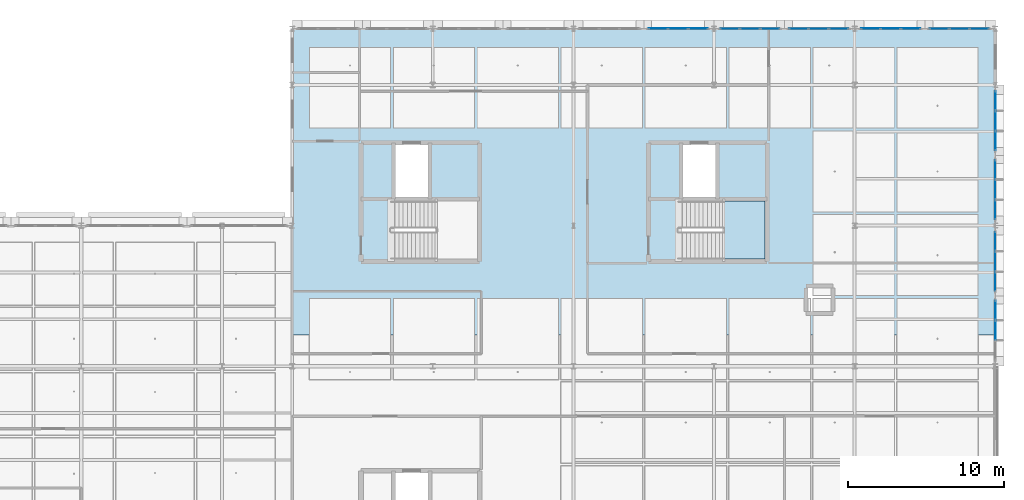
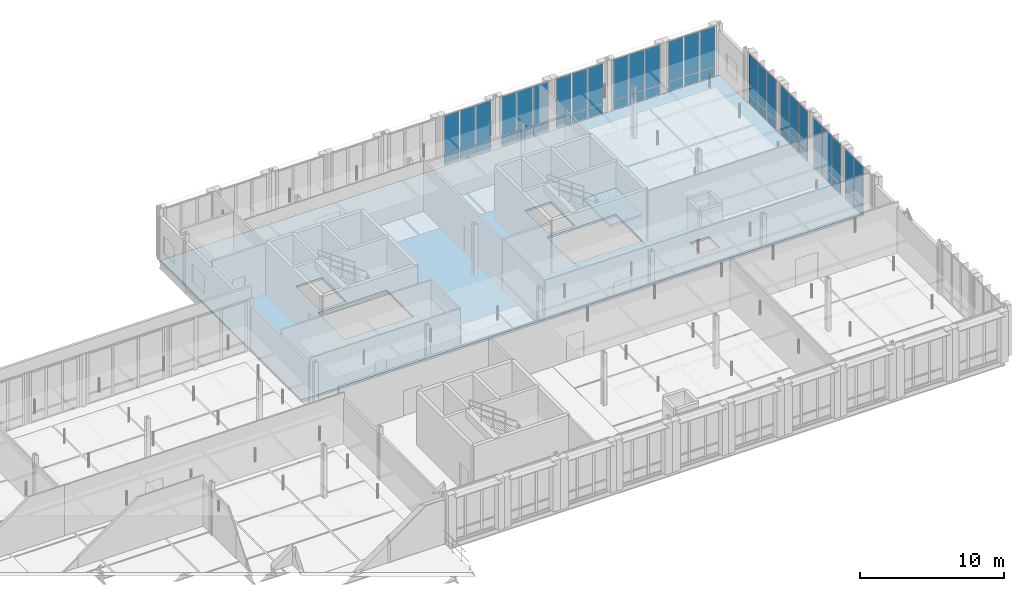
# One storey, part 40 of 89: 52 plates, 2 slabs, 10 elements without a shape of their own.
"""IFC4 building model written with IfcOpenShell, lengths in metres."""

from ifc_helpers import new_model, si_unit, direction, frame, origin, origin_2d, place, context, subcontext, project, spatial, polyline, rectangle, outline, extrude, material, layer, layer_set, type_object, element, aggregate, save


model = new_model("IFC4")

# Units and contexts
model_context = context("Model", 3, precision=1e-05, world=origin(), true_north=direction((0.0, 1.0)))
body_context = subcontext(model_context, "Body", "Model", "MODEL_VIEW")
ifc_project = project(units=[si_unit("LENGTHUNIT", "METRE"), si_unit("AREAUNIT", "SQUARE_METRE"), si_unit("VOLUMEUNIT", "CUBIC_METRE"), si_unit("PLANEANGLEUNIT", "RADIAN"), si_unit("MASSUNIT", "GRAM", prefix="KILO"), si_unit("THERMODYNAMICTEMPERATUREUNIT", "KELVIN"), si_unit("POWERUNIT", "WATT")], contexts=[model_context])

# Site, building, storey
site_placement = place(None, origin())
site = spatial("IfcSite", under=ifc_project, at=site_placement, CompositionType="ELEMENT")
building_placement = place(site_placement, origin())
building = spatial("IfcBuilding", under=site, at=building_placement, Name="Tallowbark Science Centre", CompositionType="ELEMENT")
storey_placement = place(building_placement, frame((0.0, 0.0, 14.39990234375)))
storey = spatial("IfcBuildingStorey", under=building, at=storey_placement, Name="L03", CompositionType="ELEMENT", Elevation=14.39990234375)

# Curtain wall, plates
ifc_material_1 = material(Name="Unitised Thermally Broken Aluminium and Low-E Double Glazing", Category="aluminium")
curtain_wall_type = type_object("IfcCurtainWallType", Name="CW-SYS-FACADE", PredefinedType="NOTDEFINED", material=ifc_material_1)
curtain_wall_1_placement = place(storey_placement, origin())
curtain_wall_1 = element("IfcCurtainWall", 1, at=curtain_wall_1_placement, inside=storey, type_object=curtain_wall_type, Name="Unitised Curtain Wall OBS-N-139A CW-L03-178", PredefinedType="NOTDEFINED")
ifc_material_2 = material(Name="Double Glazed Argon Low-E Vision Glass", Category="glass")
ifc_layer_1 = layer(ifc_material_2, 0.028076171875)
ifc_layer_set_1 = layer_set([ifc_layer_1], Name="Double Glazed Argon Low-E Vision Glass")
plate_type_1 = type_object("IfcPlateType", Name="CWP-GLZ-28", PredefinedType="CURTAIN_PANEL", material=ifc_layer_set_1)
plate_1_placement = place(storey_placement, frame((147.483642578125, 111.60009765625, 0.05517578125), z_axis=(0.0, 0.0, 1.0), x_axis=(-1.0, 0.0, 0.0)))
plate_1 = element("IfcPlate", 2, at=plate_1_placement, type_object=plate_type_1, Name="CW-01 panel 1.1", PredefinedType="CURTAIN_PANEL", context=body_context, shape_type="SweptSolid", body=[
    extrude(rectangle(XDim=1.202392578125, YDim=0.028076171875, at=origin_2d()), origin(), (0.0, 0.0, 1.0), 0.767578125),
])
plate_2_placement = place(storey_placement, frame((147.483642578125, 111.60009765625, 0.87744140625), z_axis=(0.0, 0.0, 1.0), x_axis=(-1.0, 0.0, 0.0)))
plate_2 = element("IfcPlate", 3, at=plate_2_placement, type_object=plate_type_1, Name="CW-01 panel 1.2", PredefinedType="CURTAIN_PANEL", context=body_context, shape_type="SweptSolid", body=[
    extrude(rectangle(XDim=1.202392578125, YDim=0.028076171875, at=origin_2d()), origin(), (0.0, 0.0, 1.0), 3.387451171875),
])
plate_3_placement = place(storey_placement, frame((146.199951171875, 111.60009765625, 0.05517578125), z_axis=(0.0, 0.0, 1.0), x_axis=(-1.0, 0.0, 0.0)))
plate_3 = element("IfcPlate", 4, at=plate_3_placement, type_object=plate_type_1, Name="CW-01 panel 2.1", PredefinedType="CURTAIN_PANEL", context=body_context, shape_type="SweptSolid", body=[
    extrude(rectangle(XDim=1.235107421875, YDim=0.028076171875, at=origin_2d()), origin(), (0.0, 0.0, 1.0), 0.767578125),
])
plate_4_placement = place(storey_placement, frame((146.199951171875, 111.60009765625, 0.87744140625), z_axis=(0.0, 0.0, 1.0), x_axis=(-1.0, 0.0, 0.0)))
plate_4 = element("IfcPlate", 5, at=plate_4_placement, type_object=plate_type_1, Name="CW-01 panel 2.2", PredefinedType="CURTAIN_PANEL", context=body_context, shape_type="SweptSolid", body=[
    extrude(rectangle(XDim=1.235107421875, YDim=0.028076171875, at=origin_2d()), origin(), (0.0, 0.0, 1.0), 3.387451171875),
])
plate_5_placement = place(storey_placement, frame((144.916259765625, 111.60009765625, 0.05517578125), z_axis=(0.0, 0.0, 1.0), x_axis=(-1.0, 0.0, 0.0)))
plate_5 = element("IfcPlate", 6, at=plate_5_placement, type_object=plate_type_1, Name="CW-01 panel 3.1", PredefinedType="CURTAIN_PANEL", context=body_context, shape_type="SweptSolid", body=[
    extrude(rectangle(XDim=1.202392578125, YDim=0.028076171875, at=origin_2d()), origin(), (0.0, 0.0, 1.0), 0.767578125),
])
plate_6_placement = place(storey_placement, frame((144.916259765625, 111.60009765625, 0.87744140625), z_axis=(0.0, 0.0, 1.0), x_axis=(-1.0, 0.0, 0.0)))
plate_6 = element("IfcPlate", 7, at=plate_6_placement, type_object=plate_type_1, Name="CW-01 panel 3.2", PredefinedType="CURTAIN_PANEL", context=body_context, shape_type="SweptSolid", body=[
    extrude(rectangle(XDim=1.202392578125, YDim=0.028076171875, at=origin_2d()), origin(), (0.0, 0.0, 1.0), 3.387451171875),
])
aggregate(curtain_wall_1, [plate_1, plate_2, plate_3, plate_4, plate_5, plate_6])

curtain_wall_2_placement = place(storey_placement, origin())
curtain_wall_2 = element("IfcCurtainWall", 8, at=curtain_wall_2_placement, inside=storey, type_object=curtain_wall_type, Name="Unitised Curtain Wall OBS-N-139B CW-L03-179", PredefinedType="NOTDEFINED")
plate_7_placement = place(storey_placement, frame((143.083740234375, 111.60009765625, 0.05517578125), z_axis=(0.0, 0.0, 1.0), x_axis=(-1.0, 0.0, 0.0)))
plate_7 = element("IfcPlate", 9, at=plate_7_placement, type_object=plate_type_1, Name="CW-01 panel 1.1", PredefinedType="CURTAIN_PANEL", context=body_context, shape_type="SweptSolid", body=[
    extrude(rectangle(XDim=1.202392578125, YDim=0.028076171875, at=origin_2d()), origin(), (0.0, 0.0, 1.0), 0.767578125),
])
plate_8_placement = place(storey_placement, frame((143.083740234375, 111.60009765625, 0.87744140625), z_axis=(0.0, 0.0, 1.0), x_axis=(-1.0, 0.0, 0.0)))
plate_8 = element("IfcPlate", 10, at=plate_8_placement, type_object=plate_type_1, Name="CW-01 panel 1.2", PredefinedType="CURTAIN_PANEL", context=body_context, shape_type="SweptSolid", body=[
    extrude(rectangle(XDim=1.202392578125, YDim=0.028076171875, at=origin_2d()), origin(), (0.0, 0.0, 1.0), 3.387451171875),
])
plate_9_placement = place(storey_placement, frame((141.800048828125, 111.60009765625, 0.05517578125), z_axis=(0.0, 0.0, 1.0), x_axis=(-1.0, 0.0, 0.0)))
plate_9 = element("IfcPlate", 11, at=plate_9_placement, type_object=plate_type_1, Name="CW-01 panel 2.1", PredefinedType="CURTAIN_PANEL", context=body_context, shape_type="SweptSolid", body=[
    extrude(rectangle(XDim=1.235107421875, YDim=0.028076171875, at=origin_2d()), origin(), (0.0, 0.0, 1.0), 0.767578125),
])
plate_10_placement = place(storey_placement, frame((141.800048828125, 111.60009765625, 0.87744140625), z_axis=(0.0, 0.0, 1.0), x_axis=(-1.0, 0.0, 0.0)))
plate_10 = element("IfcPlate", 12, at=plate_10_placement, type_object=plate_type_1, Name="CW-01 panel 2.2", PredefinedType="CURTAIN_PANEL", context=body_context, shape_type="SweptSolid", body=[
    extrude(rectangle(XDim=1.235107421875, YDim=0.028076171875, at=origin_2d()), origin(), (0.0, 0.0, 1.0), 3.387451171875),
])
plate_11_placement = place(storey_placement, frame((140.516357421875, 111.60009765625, 0.05517578125), z_axis=(0.0, 0.0, 1.0), x_axis=(-1.0, 0.0, 0.0)))
plate_11 = element("IfcPlate", 13, at=plate_11_placement, type_object=plate_type_1, Name="CW-01 panel 3.1", PredefinedType="CURTAIN_PANEL", context=body_context, shape_type="SweptSolid", body=[
    extrude(rectangle(XDim=1.202392578125, YDim=0.028076171875, at=origin_2d()), origin(), (0.0, 0.0, 1.0), 0.767578125),
])
plate_12_placement = place(storey_placement, frame((140.516357421875, 111.60009765625, 0.87744140625), z_axis=(0.0, 0.0, 1.0), x_axis=(-1.0, 0.0, 0.0)))
plate_12 = element("IfcPlate", 14, at=plate_12_placement, type_object=plate_type_1, Name="CW-01 panel 3.2", PredefinedType="CURTAIN_PANEL", context=body_context, shape_type="SweptSolid", body=[
    extrude(rectangle(XDim=1.202392578125, YDim=0.028076171875, at=origin_2d()), origin(), (0.0, 0.0, 1.0), 3.387451171875),
])
aggregate(curtain_wall_2, [plate_7, plate_8, plate_9, plate_10, plate_11, plate_12])

curtain_wall_3_placement = place(storey_placement, origin())
curtain_wall_3 = element("IfcCurtainWall", 15, at=curtain_wall_3_placement, inside=storey, type_object=curtain_wall_type, Name="Unitised Curtain Wall OBS-N-148A CW-L03-182", PredefinedType="NOTDEFINED")
plate_13_placement = place(storey_placement, frame((156.483642578125, 111.60009765625, 0.05517578125), z_axis=(0.0, 0.0, 1.0), x_axis=(-1.0, 0.0, 0.0)))
plate_13 = element("IfcPlate", 16, at=plate_13_placement, type_object=plate_type_1, Name="CW-01 panel 1.1", PredefinedType="CURTAIN_PANEL", context=body_context, shape_type="SweptSolid", body=[
    extrude(rectangle(XDim=1.202392578125, YDim=0.028076171875, at=origin_2d()), origin(), (0.0, 0.0, 1.0), 0.767578125),
])
plate_14_placement = place(storey_placement, frame((156.483642578125, 111.60009765625, 0.87744140625), z_axis=(0.0, 0.0, 1.0), x_axis=(-1.0, 0.0, 0.0)))
plate_14 = element("IfcPlate", 17, at=plate_14_placement, type_object=plate_type_1, Name="CW-01 panel 1.2", PredefinedType="CURTAIN_PANEL", context=body_context, shape_type="SweptSolid", body=[
    extrude(rectangle(XDim=1.202392578125, YDim=0.028076171875, at=origin_2d()), origin(), (0.0, 0.0, 1.0), 3.387451171875),
])
plate_15_placement = place(storey_placement, frame((155.199951171875, 111.60009765625, 0.05517578125), z_axis=(0.0, 0.0, 1.0), x_axis=(-1.0, 0.0, 0.0)))
plate_15 = element("IfcPlate", 18, at=plate_15_placement, type_object=plate_type_1, Name="CW-01 panel 2.1", PredefinedType="CURTAIN_PANEL", context=body_context, shape_type="SweptSolid", body=[
    extrude(rectangle(XDim=1.235107421875, YDim=0.028076171875, at=origin_2d()), origin(), (0.0, 0.0, 1.0), 0.767578125),
])
plate_16_placement = place(storey_placement, frame((155.199951171875, 111.60009765625, 0.87744140625), z_axis=(0.0, 0.0, 1.0), x_axis=(-1.0, 0.0, 0.0)))
plate_16 = element("IfcPlate", 19, at=plate_16_placement, type_object=plate_type_1, Name="CW-01 panel 2.2", PredefinedType="CURTAIN_PANEL", context=body_context, shape_type="SweptSolid", body=[
    extrude(rectangle(XDim=1.235107421875, YDim=0.028076171875, at=origin_2d()), origin(), (0.0, 0.0, 1.0), 3.387451171875),
])
plate_17_placement = place(storey_placement, frame((153.916259765625, 111.60009765625, 0.05517578125), z_axis=(0.0, 0.0, 1.0), x_axis=(-1.0, 0.0, 0.0)))
plate_17 = element("IfcPlate", 20, at=plate_17_placement, type_object=plate_type_1, Name="CW-01 panel 3.1", PredefinedType="CURTAIN_PANEL", context=body_context, shape_type="SweptSolid", body=[
    extrude(rectangle(XDim=1.202392578125, YDim=0.028076171875, at=origin_2d()), origin(), (0.0, 0.0, 1.0), 0.767578125),
])
plate_18_placement = place(storey_placement, frame((153.916259765625, 111.60009765625, 0.87744140625), z_axis=(0.0, 0.0, 1.0), x_axis=(-1.0, 0.0, 0.0)))
plate_18 = element("IfcPlate", 21, at=plate_18_placement, type_object=plate_type_1, Name="CW-01 panel 3.2", PredefinedType="CURTAIN_PANEL", context=body_context, shape_type="SweptSolid", body=[
    extrude(rectangle(XDim=1.202392578125, YDim=0.028076171875, at=origin_2d()), origin(), (0.0, 0.0, 1.0), 3.387451171875),
])
aggregate(curtain_wall_3, [plate_13, plate_14, plate_15, plate_16, plate_17, plate_18])

curtain_wall_4_placement = place(storey_placement, origin())
curtain_wall_4 = element("IfcCurtainWall", 22, at=curtain_wall_4_placement, inside=storey, type_object=curtain_wall_type, Name="Unitised Curtain Wall OBS-E-90B CW-L03-187", PredefinedType="NOTDEFINED")
plate_19_placement = place(storey_placement, frame((157.5, 95.416259765625, 0.05517578125), z_axis=(0.0, 0.0, 1.0), x_axis=(0.0, 1.0, 0.0)))
plate_19 = element("IfcPlate", 23, at=plate_19_placement, type_object=plate_type_1, Name="CW-01 panel 1.1", PredefinedType="CURTAIN_PANEL", context=body_context, shape_type="SweptSolid", body=[
    extrude(rectangle(XDim=1.202392578125, YDim=0.028076171875, at=origin_2d()), origin(), (0.0, 0.0, 1.0), 0.767578125),
])
plate_20_placement = place(storey_placement, frame((157.5, 95.416259765625, 0.87744140625), z_axis=(0.0, 0.0, 1.0), x_axis=(0.0, 1.0, 0.0)))
plate_20 = element("IfcPlate", 24, at=plate_20_placement, type_object=plate_type_1, Name="CW-01 panel 1.2", PredefinedType="CURTAIN_PANEL", context=body_context, shape_type="SweptSolid", body=[
    extrude(rectangle(XDim=1.202392578125, YDim=0.028076171875, at=origin_2d()), origin(), (0.0, 0.0, 1.0), 3.387451171875),
])
plate_21_placement = place(storey_placement, frame((157.5, 96.699951171875, 0.05517578125), z_axis=(0.0, 0.0, 1.0), x_axis=(0.0, 1.0, 0.0)))
plate_21 = element("IfcPlate", 25, at=plate_21_placement, type_object=plate_type_1, Name="CW-01 panel 2.1", PredefinedType="CURTAIN_PANEL", context=body_context, shape_type="SweptSolid", body=[
    extrude(rectangle(XDim=1.235107421875, YDim=0.028076171875, at=origin_2d()), origin(), (0.0, 0.0, 1.0), 0.767578125),
])
plate_22_placement = place(storey_placement, frame((157.5, 96.699951171875, 0.87744140625), z_axis=(0.0, 0.0, 1.0), x_axis=(0.0, 1.0, 0.0)))
plate_22 = element("IfcPlate", 26, at=plate_22_placement, type_object=plate_type_1, Name="CW-01 panel 2.2", PredefinedType="CURTAIN_PANEL", context=body_context, shape_type="SweptSolid", body=[
    extrude(rectangle(XDim=1.235107421875, YDim=0.028076171875, at=origin_2d()), origin(), (0.0, 0.0, 1.0), 3.387451171875),
])
plate_23_placement = place(storey_placement, frame((157.5, 97.983642578125, 0.05517578125), z_axis=(0.0, 0.0, 1.0), x_axis=(0.0, 1.0, 0.0)))
plate_23 = element("IfcPlate", 27, at=plate_23_placement, type_object=plate_type_1, Name="CW-01 panel 3.1", PredefinedType="CURTAIN_PANEL", context=body_context, shape_type="SweptSolid", body=[
    extrude(rectangle(XDim=1.202392578125, YDim=0.028076171875, at=origin_2d()), origin(), (0.0, 0.0, 1.0), 0.767578125),
])
plate_24_placement = place(storey_placement, frame((157.5, 97.983642578125, 0.87744140625), z_axis=(0.0, 0.0, 1.0), x_axis=(0.0, 1.0, 0.0)))
plate_24 = element("IfcPlate", 28, at=plate_24_placement, type_object=plate_type_1, Name="CW-01 panel 3.2", PredefinedType="CURTAIN_PANEL", context=body_context, shape_type="SweptSolid", body=[
    extrude(rectangle(XDim=1.202392578125, YDim=0.028076171875, at=origin_2d()), origin(), (0.0, 0.0, 1.0), 3.387451171875),
])
aggregate(curtain_wall_4, [plate_19, plate_20, plate_21, plate_22, plate_23, plate_24])

curtain_wall_5_placement = place(storey_placement, origin())
curtain_wall_5 = element("IfcCurtainWall", 29, at=curtain_wall_5_placement, inside=storey, type_object=curtain_wall_type, Name="Unitised Curtain Wall OBS-E-99A CW-L03-188", PredefinedType="NOTDEFINED")
plate_25_placement = place(storey_placement, frame((157.5, 100.016357421875, 0.05517578125), z_axis=(0.0, 0.0, 1.0), x_axis=(0.0, 1.0, 0.0)))
plate_25 = element("IfcPlate", 30, at=plate_25_placement, type_object=plate_type_1, Name="CW-01 panel 1.1", PredefinedType="CURTAIN_PANEL", context=body_context, shape_type="SweptSolid", body=[
    extrude(rectangle(XDim=1.202392578125, YDim=0.028076171875, at=origin_2d()), origin(), (0.0, 0.0, 1.0), 0.767578125),
])
plate_26_placement = place(storey_placement, frame((157.5, 100.016357421875, 0.87744140625), z_axis=(0.0, 0.0, 1.0), x_axis=(0.0, 1.0, 0.0)))
plate_26 = element("IfcPlate", 31, at=plate_26_placement, type_object=plate_type_1, Name="CW-01 panel 1.2", PredefinedType="CURTAIN_PANEL", context=body_context, shape_type="SweptSolid", body=[
    extrude(rectangle(XDim=1.202392578125, YDim=0.028076171875, at=origin_2d()), origin(), (0.0, 0.0, 1.0), 3.387451171875),
])
plate_27_placement = place(storey_placement, frame((157.5, 101.300048828125, 0.05517578125), z_axis=(0.0, 0.0, 1.0), x_axis=(0.0, 1.0, 0.0)))
plate_27 = element("IfcPlate", 32, at=plate_27_placement, type_object=plate_type_1, Name="CW-01 panel 2.1", PredefinedType="CURTAIN_PANEL", context=body_context, shape_type="SweptSolid", body=[
    extrude(rectangle(XDim=1.235107421875, YDim=0.028076171875, at=origin_2d()), origin(), (0.0, 0.0, 1.0), 0.767578125),
])
plate_28_placement = place(storey_placement, frame((157.5, 101.300048828125, 0.87744140625), z_axis=(0.0, 0.0, 1.0), x_axis=(0.0, 1.0, 0.0)))
plate_28 = element("IfcPlate", 33, at=plate_28_placement, type_object=plate_type_1, Name="CW-01 panel 2.2", PredefinedType="CURTAIN_PANEL", context=body_context, shape_type="SweptSolid", body=[
    extrude(rectangle(XDim=1.235107421875, YDim=0.028076171875, at=origin_2d()), origin(), (0.0, 0.0, 1.0), 3.387451171875),
])
plate_29_placement = place(storey_placement, frame((157.5, 102.583740234375, 0.05517578125), z_axis=(0.0, 0.0, 1.0), x_axis=(0.0, 1.0, 0.0)))
plate_29 = element("IfcPlate", 34, at=plate_29_placement, type_object=plate_type_1, Name="CW-01 panel 3.1", PredefinedType="CURTAIN_PANEL", context=body_context, shape_type="SweptSolid", body=[
    extrude(rectangle(XDim=1.202392578125, YDim=0.028076171875, at=origin_2d()), origin(), (0.0, 0.0, 1.0), 0.767578125),
])
plate_30_placement = place(storey_placement, frame((157.5, 102.583740234375, 0.87744140625), z_axis=(0.0, 0.0, 1.0), x_axis=(0.0, 1.0, 0.0)))
plate_30 = element("IfcPlate", 35, at=plate_30_placement, type_object=plate_type_1, Name="CW-01 panel 3.2", PredefinedType="CURTAIN_PANEL", context=body_context, shape_type="SweptSolid", body=[
    extrude(rectangle(XDim=1.202392578125, YDim=0.028076171875, at=origin_2d()), origin(), (0.0, 0.0, 1.0), 3.387451171875),
])
aggregate(curtain_wall_5, [plate_25, plate_26, plate_27, plate_28, plate_29, plate_30])

curtain_wall_6_placement = place(storey_placement, origin())
curtain_wall_6 = element("IfcCurtainWall", 36, at=curtain_wall_6_placement, inside=storey, type_object=curtain_wall_type, Name="Unitised Curtain Wall OBS-N-130A CW-L03-174", PredefinedType="NOTDEFINED")
ifc_material_3 = material(Name="Ceramic-Fritted Insulated Glass Spandrel Panel", Category="glass")
ifc_layer_2 = layer(ifc_material_3, 0.031982421875)
ifc_layer_set_2 = layer_set([ifc_layer_2], Name="Ceramic-Fritted Insulated Glass Spandrel Panel")
plate_type_2 = type_object("IfcPlateType", Name="CWP-SPN-32", PredefinedType="CURTAIN_PANEL", material=ifc_layer_set_2)
plate_31_placement = place(storey_placement, frame((138.483642578125, 111.60009765625, 0.05517578125), z_axis=(0.0, 0.0, 1.0), x_axis=(-1.0, 0.0, 0.0)))
plate_31 = element("IfcPlate", 37, at=plate_31_placement, type_object=plate_type_2, Name="CW-01 panel 1.1", PredefinedType="CURTAIN_PANEL", context=body_context, shape_type="SweptSolid", body=[
    extrude(rectangle(XDim=1.202392578125, YDim=0.031982421875, at=origin_2d()), origin(), (0.0, 0.0, 1.0), 0.767578125),
])
plate_32_placement = place(storey_placement, frame((138.483642578125, 111.60009765625, 0.87744140625), z_axis=(0.0, 0.0, 1.0), x_axis=(-1.0, 0.0, 0.0)))
plate_32 = element("IfcPlate", 38, at=plate_32_placement, type_object=plate_type_2, Name="CW-01 panel 1.2", PredefinedType="CURTAIN_PANEL", context=body_context, shape_type="SweptSolid", body=[
    extrude(rectangle(XDim=1.202392578125, YDim=0.031982421875, at=origin_2d()), origin(), (0.0, 0.0, 1.0), 3.387451171875),
])
plate_33_placement = place(storey_placement, frame((137.199951171875, 111.60009765625, 0.05517578125), z_axis=(0.0, 0.0, 1.0), x_axis=(-1.0, 0.0, 0.0)))
plate_33 = element("IfcPlate", 39, at=plate_33_placement, type_object=plate_type_2, Name="CW-01 panel 2.1", PredefinedType="CURTAIN_PANEL", context=body_context, shape_type="SweptSolid", body=[
    extrude(rectangle(XDim=1.235107421875, YDim=0.031982421875, at=origin_2d()), origin(), (0.0, 0.0, 1.0), 0.767578125),
])
plate_34_placement = place(storey_placement, frame((137.199951171875, 111.60009765625, 0.87744140625), z_axis=(0.0, 0.0, 1.0), x_axis=(-1.0, 0.0, 0.0)))
plate_34 = element("IfcPlate", 40, at=plate_34_placement, type_object=plate_type_2, Name="CW-01 panel 2.2", PredefinedType="CURTAIN_PANEL", context=body_context, shape_type="SweptSolid", body=[
    extrude(rectangle(XDim=1.235107421875, YDim=0.031982421875, at=origin_2d()), origin(), (0.0, 0.0, 1.0), 3.387451171875),
])
plate_35_placement = place(storey_placement, frame((135.916259765625, 111.60009765625, 0.05517578125), z_axis=(0.0, 0.0, 1.0), x_axis=(-1.0, 0.0, 0.0)))
plate_35 = element("IfcPlate", 41, at=plate_35_placement, type_object=plate_type_2, Name="CW-01 panel 3.1", PredefinedType="CURTAIN_PANEL", context=body_context, shape_type="SweptSolid", body=[
    extrude(rectangle(XDim=1.202392578125, YDim=0.031982421875, at=origin_2d()), origin(), (0.0, 0.0, 1.0), 0.767578125),
])
plate_36_placement = place(storey_placement, frame((135.916259765625, 111.60009765625, 0.87744140625), z_axis=(0.0, 0.0, 1.0), x_axis=(-1.0, 0.0, 0.0)))
plate_36 = element("IfcPlate", 42, at=plate_36_placement, type_object=plate_type_2, Name="CW-01 panel 3.2", PredefinedType="CURTAIN_PANEL", context=body_context, shape_type="SweptSolid", body=[
    extrude(rectangle(XDim=1.202392578125, YDim=0.031982421875, at=origin_2d()), origin(), (0.0, 0.0, 1.0), 3.387451171875),
])
aggregate(curtain_wall_6, [plate_31, plate_32, plate_33, plate_34, plate_35, plate_36])

curtain_wall_7_placement = place(storey_placement, origin())
curtain_wall_7 = element("IfcCurtainWall", 43, at=curtain_wall_7_placement, inside=storey, type_object=curtain_wall_type, Name="Unitised Curtain Wall OBS-N-148B CW-L03-183", PredefinedType="NOTDEFINED")
plate_37_placement = place(storey_placement, frame((152.083740234375, 111.60009765625, 0.05517578125), z_axis=(0.0, 0.0, 1.0), x_axis=(-1.0, 0.0, 0.0)))
plate_37 = element("IfcPlate", 44, at=plate_37_placement, type_object=plate_type_2, Name="CW-01 panel 1.1", PredefinedType="CURTAIN_PANEL", context=body_context, shape_type="SweptSolid", body=[
    extrude(rectangle(XDim=1.202392578125, YDim=0.031982421875, at=origin_2d()), origin(), (0.0, 0.0, 1.0), 0.767578125),
])
plate_38_placement = place(storey_placement, frame((152.083740234375, 111.60009765625, 0.87744140625), z_axis=(0.0, 0.0, 1.0), x_axis=(-1.0, 0.0, 0.0)))
plate_38 = element("IfcPlate", 45, at=plate_38_placement, type_object=plate_type_2, Name="CW-01 panel 1.2", PredefinedType="CURTAIN_PANEL", context=body_context, shape_type="SweptSolid", body=[
    extrude(rectangle(XDim=1.202392578125, YDim=0.031982421875, at=origin_2d()), origin(), (0.0, 0.0, 1.0), 3.387451171875),
])
plate_39_placement = place(storey_placement, frame((150.800048828125, 111.60009765625, 0.05517578125), z_axis=(0.0, 0.0, 1.0), x_axis=(-1.0, 0.0, 0.0)))
plate_39 = element("IfcPlate", 46, at=plate_39_placement, type_object=plate_type_2, Name="CW-01 panel 2.1", PredefinedType="CURTAIN_PANEL", context=body_context, shape_type="SweptSolid", body=[
    extrude(rectangle(XDim=1.235107421875, YDim=0.031982421875, at=origin_2d()), origin(), (0.0, 0.0, 1.0), 0.767578125),
])
plate_40_placement = place(storey_placement, frame((150.800048828125, 111.60009765625, 0.87744140625), z_axis=(0.0, 0.0, 1.0), x_axis=(-1.0, 0.0, 0.0)))
plate_40 = element("IfcPlate", 47, at=plate_40_placement, type_object=plate_type_2, Name="CW-01 panel 2.2", PredefinedType="CURTAIN_PANEL", context=body_context, shape_type="SweptSolid", body=[
    extrude(rectangle(XDim=1.235107421875, YDim=0.031982421875, at=origin_2d()), origin(), (0.0, 0.0, 1.0), 3.387451171875),
])
plate_41_placement = place(storey_placement, frame((149.516357421875, 111.60009765625, 0.05517578125), z_axis=(0.0, 0.0, 1.0), x_axis=(-1.0, 0.0, 0.0)))
plate_41 = element("IfcPlate", 48, at=plate_41_placement, type_object=plate_type_2, Name="CW-01 panel 3.1", PredefinedType="CURTAIN_PANEL", context=body_context, shape_type="SweptSolid", body=[
    extrude(rectangle(XDim=1.202392578125, YDim=0.031982421875, at=origin_2d()), origin(), (0.0, 0.0, 1.0), 0.767578125),
])
plate_42_placement = place(storey_placement, frame((149.516357421875, 111.60009765625, 0.87744140625), z_axis=(0.0, 0.0, 1.0), x_axis=(-1.0, 0.0, 0.0)))
plate_42 = element("IfcPlate", 49, at=plate_42_placement, type_object=plate_type_2, Name="CW-01 panel 3.2", PredefinedType="CURTAIN_PANEL", context=body_context, shape_type="SweptSolid", body=[
    extrude(rectangle(XDim=1.202392578125, YDim=0.031982421875, at=origin_2d()), origin(), (0.0, 0.0, 1.0), 3.387451171875),
])
aggregate(curtain_wall_7, [plate_37, plate_38, plate_39, plate_40, plate_41, plate_42])

curtain_wall_8_placement = place(storey_placement, origin())
curtain_wall_8 = element("IfcCurtainWall", 50, at=curtain_wall_8_placement, inside=storey, type_object=curtain_wall_type, Name="Unitised Curtain Wall OBS-E-90A CW-L03-186", PredefinedType="NOTDEFINED")
plate_43_placement = place(storey_placement, frame((157.5, 92.300048828125, 0.05517578125), z_axis=(0.0, 0.0, 1.0), x_axis=(0.0, 1.0, 0.0)))
plate_43 = element("IfcPlate", 51, at=plate_43_placement, type_object=plate_type_2, Name="CW-01 panel 2.1", PredefinedType="CURTAIN_PANEL", context=body_context, shape_type="SweptSolid", body=[
    extrude(rectangle(XDim=1.235107421875, YDim=0.031982421875, at=origin_2d()), origin(), (0.0, 0.0, 1.0), 0.767578125),
])
plate_44_placement = place(storey_placement, frame((157.5, 92.300048828125, 0.87744140625), z_axis=(0.0, 0.0, 1.0), x_axis=(0.0, 1.0, 0.0)))
plate_44 = element("IfcPlate", 52, at=plate_44_placement, type_object=plate_type_2, Name="CW-01 panel 2.2", PredefinedType="CURTAIN_PANEL", context=body_context, shape_type="SweptSolid", body=[
    extrude(rectangle(XDim=1.235107421875, YDim=0.031982421875, at=origin_2d()), origin(), (0.0, 0.0, 1.0), 3.387451171875),
])
plate_45_placement = place(storey_placement, frame((157.5, 93.583740234375, 0.05517578125), z_axis=(0.0, 0.0, 1.0), x_axis=(0.0, 1.0, 0.0)))
plate_45 = element("IfcPlate", 53, at=plate_45_placement, type_object=plate_type_2, Name="CW-01 panel 3.1", PredefinedType="CURTAIN_PANEL", context=body_context, shape_type="SweptSolid", body=[
    extrude(rectangle(XDim=1.202392578125, YDim=0.031982421875, at=origin_2d()), origin(), (0.0, 0.0, 1.0), 0.767578125),
])
plate_46_placement = place(storey_placement, frame((157.5, 93.583740234375, 0.87744140625), z_axis=(0.0, 0.0, 1.0), x_axis=(0.0, 1.0, 0.0)))
plate_46 = element("IfcPlate", 54, at=plate_46_placement, type_object=plate_type_2, Name="CW-01 panel 3.2", PredefinedType="CURTAIN_PANEL", context=body_context, shape_type="SweptSolid", body=[
    extrude(rectangle(XDim=1.202392578125, YDim=0.031982421875, at=origin_2d()), origin(), (0.0, 0.0, 1.0), 3.387451171875),
])
aggregate(curtain_wall_8, [plate_43, plate_44, plate_45, plate_46])

curtain_wall_9_placement = place(storey_placement, origin())
curtain_wall_9 = element("IfcCurtainWall", 55, at=curtain_wall_9_placement, inside=storey, type_object=curtain_wall_type, Name="Unitised Curtain Wall OBS-E-99B CW-L03-189", PredefinedType="NOTDEFINED")
plate_47_placement = place(storey_placement, frame((157.5, 104.416259765625, 0.05517578125), z_axis=(0.0, 0.0, 1.0), x_axis=(0.0, 1.0, 0.0)))
plate_47 = element("IfcPlate", 56, at=plate_47_placement, type_object=plate_type_2, Name="CW-01 panel 1.1", PredefinedType="CURTAIN_PANEL", context=body_context, shape_type="SweptSolid", body=[
    extrude(rectangle(XDim=1.202392578125, YDim=0.031982421875, at=origin_2d()), origin(), (0.0, 0.0, 1.0), 0.767578125),
])
plate_48_placement = place(storey_placement, frame((157.5, 104.416259765625, 0.87744140625), z_axis=(0.0, 0.0, 1.0), x_axis=(0.0, 1.0, 0.0)))
plate_48 = element("IfcPlate", 57, at=plate_48_placement, type_object=plate_type_2, Name="CW-01 panel 1.2", PredefinedType="CURTAIN_PANEL", context=body_context, shape_type="SweptSolid", body=[
    extrude(rectangle(XDim=1.202392578125, YDim=0.031982421875, at=origin_2d()), origin(), (0.0, 0.0, 1.0), 3.387451171875),
])
plate_49_placement = place(storey_placement, frame((157.5, 105.699951171875, 0.05517578125), z_axis=(0.0, 0.0, 1.0), x_axis=(0.0, 1.0, 0.0)))
plate_49 = element("IfcPlate", 58, at=plate_49_placement, type_object=plate_type_2, Name="CW-01 panel 2.1", PredefinedType="CURTAIN_PANEL", context=body_context, shape_type="SweptSolid", body=[
    extrude(rectangle(XDim=1.235107421875, YDim=0.031982421875, at=origin_2d()), origin(), (0.0, 0.0, 1.0), 0.767578125),
])
plate_50_placement = place(storey_placement, frame((157.5, 105.699951171875, 0.87744140625), z_axis=(0.0, 0.0, 1.0), x_axis=(0.0, 1.0, 0.0)))
plate_50 = element("IfcPlate", 59, at=plate_50_placement, type_object=plate_type_2, Name="CW-01 panel 2.2", PredefinedType="CURTAIN_PANEL", context=body_context, shape_type="SweptSolid", body=[
    extrude(rectangle(XDim=1.235107421875, YDim=0.031982421875, at=origin_2d()), origin(), (0.0, 0.0, 1.0), 3.387451171875),
])
plate_51_placement = place(storey_placement, frame((157.5, 106.983642578125, 0.05517578125), z_axis=(0.0, 0.0, 1.0), x_axis=(0.0, 1.0, 0.0)))
plate_51 = element("IfcPlate", 60, at=plate_51_placement, type_object=plate_type_2, Name="CW-01 panel 3.1", PredefinedType="CURTAIN_PANEL", context=body_context, shape_type="SweptSolid", body=[
    extrude(rectangle(XDim=1.202392578125, YDim=0.031982421875, at=origin_2d()), origin(), (0.0, 0.0, 1.0), 0.767578125),
])
plate_52_placement = place(storey_placement, frame((157.5, 106.983642578125, 0.87744140625), z_axis=(0.0, 0.0, 1.0), x_axis=(0.0, 1.0, 0.0)))
plate_52 = element("IfcPlate", 61, at=plate_52_placement, type_object=plate_type_2, Name="CW-01 panel 3.2", PredefinedType="CURTAIN_PANEL", context=body_context, shape_type="SweptSolid", body=[
    extrude(rectangle(XDim=1.202392578125, YDim=0.031982421875, at=origin_2d()), origin(), (0.0, 0.0, 1.0), 3.387451171875),
])
aggregate(curtain_wall_9, [plate_47, plate_48, plate_49, plate_50, plate_51, plate_52])

# Slab
ifc_material_4 = material(Name="Concrete Grade N40 (40 MPa)", Category="concrete")
ifc_layer_3 = layer(ifc_material_4, 0.179931640625)
ifc_layer_set_3 = layer_set([ifc_layer_3], Name="Concrete Grade N40 (40 MPa)")
slab_type_1 = type_object("IfcSlabType", Name="SLB-FLR-180", PredefinedType="FLOOR", material=ifc_layer_set_3)
slab_1_placement = place(storey_placement, frame((0.0, 0.0, -0.179931640625)))
element("IfcSlab", 62, at=slab_1_placement, inside=storey, type_object=slab_type_1, Name="Astronomy Wing North Slab L03 SLB-OBS-N-L03", PredefinedType="FLOOR", context=body_context, shape_type="SweptSolid", body=[
    extrude(outline(polyline([(112.52490234375, 92.0), (157.5, 92.0), (157.5, 111.60009765625), (112.52490234375, 111.60009765625), (112.52490234375, 92.0)]), holes=[polyline([(137.2099609375, 96.85009765625), (142.75, 96.85009765625), (142.75, 100.570068359375), (137.2099609375, 100.570068359375), (137.2099609375, 96.85009765625)]), polyline([(118.81005859375, 96.85009765625), (124.35009765625, 96.85009765625), (124.35009765625, 100.570068359375), (118.81005859375, 100.570068359375), (118.81005859375, 96.85009765625)]), polyline([(137.5, 100.820068359375), (139.60009765625, 100.820068359375), (139.60009765625, 104.14990234375), (137.5, 104.14990234375), (137.5, 100.820068359375)]), polyline([(119.10009765625, 100.820068359375), (121.199951171875, 100.820068359375), (121.199951171875, 104.14990234375), (119.10009765625, 104.14990234375), (119.10009765625, 100.820068359375)]), polyline([(145.5, 93.5), (147.0, 93.5), (147.0, 95.0), (145.5, 95.0), (145.5, 93.5)])]), origin(), (0.0, 0.0, 1.0), 0.179931640625),
])

# Stair, slab
stair_type = type_object("IfcStairType", Name="STR-C4", PredefinedType="HALF_TURN_STAIR", material=ifc_material_4)
stair_placement = place(storey_placement, origin())
stair = element("IfcStair", 63, at=stair_placement, inside=storey, type_object=stair_type, Name="L03 Fire Stair ST-04", PredefinedType="HALF_TURN_STAIR")
ifc_layer_4 = layer(ifc_material_4, 0.199951171875)
ifc_layer_set_4 = layer_set([ifc_layer_4], Name="Concrete Grade N40 (40 MPa)")
slab_type_2 = type_object("IfcSlabType", Name="SLB-LND-200", PredefinedType="LANDING", material=ifc_layer_set_4)
slab_2_placement = place(storey_placement, frame((0.0, 0.0, 2.050048828125)))
slab_2 = element("IfcSlab", 64, at=slab_2_placement, type_object=slab_type_2, Name="ST-04 landing 1", PredefinedType="LANDING", context=body_context, shape_type="SweptSolid", body=[
    extrude(outline(polyline([(140.125, 96.85009765625), (142.75, 96.85009765625), (142.75, 100.570068359375), (140.125, 100.570068359375), (140.125, 96.85009765625)])), origin(), (0.0, 0.0, 1.0), 0.199951171875),
])
aggregate(stair, [slab_2])

save(model, "model.ifc")
